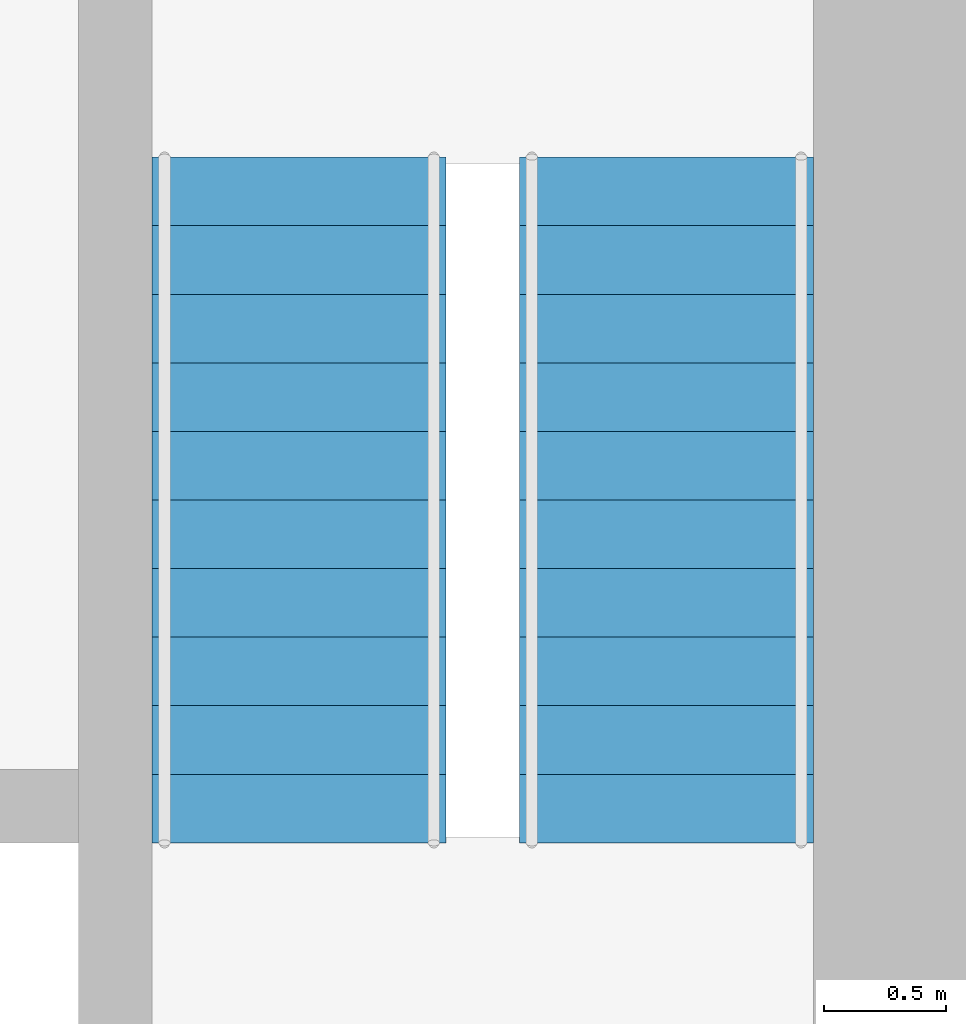
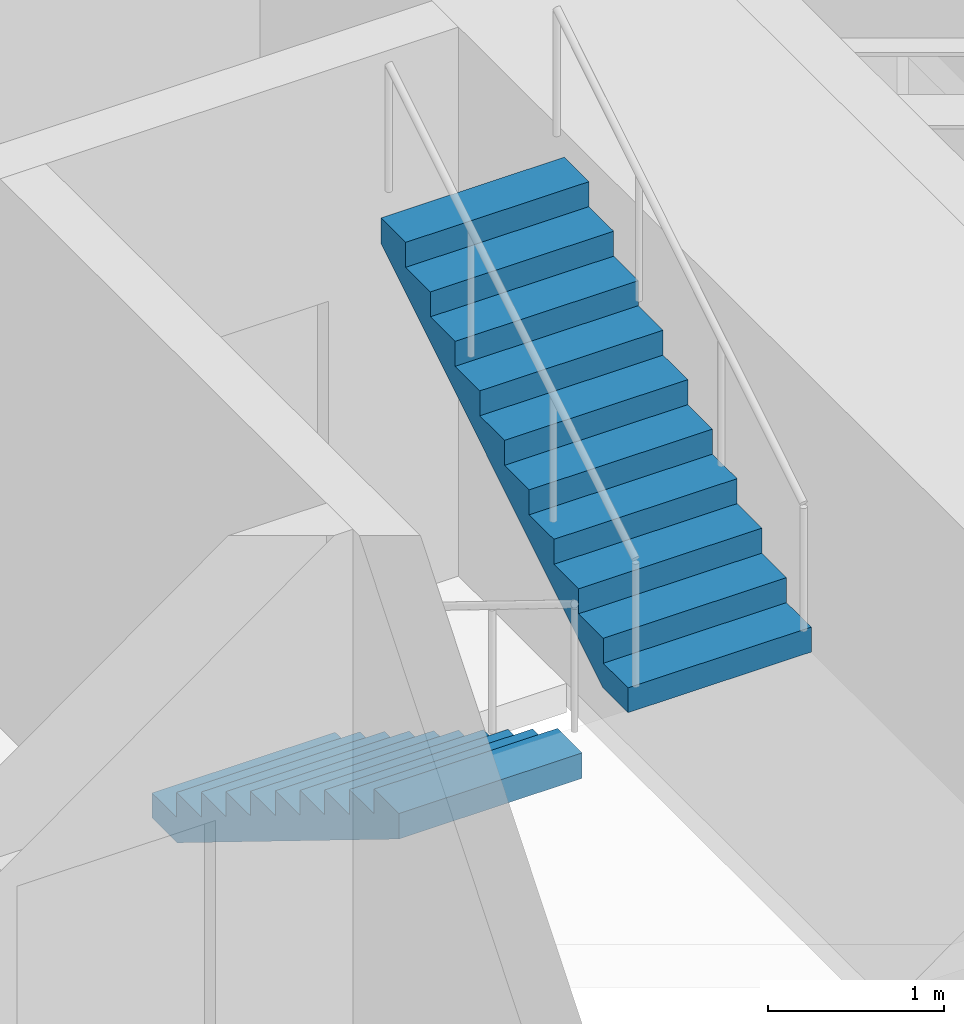
# One storey, part 16 of 17: 2 stair flights, 1 element without a shape of its own.
"""IFC4 building model written with IfcOpenShell, lengths in metres."""

from ifc_helpers import new_model, si_unit, direction, frame, origin, place, context, subcontext, project, spatial, polyline, outline, extrude, material, type_object, element, aggregate, save


model = new_model("IFC4")

# Units and contexts
model_context = context("Model", 3, precision=1e-05, world=origin(), true_north=direction((0.0, 1.0)))
body_context = subcontext(model_context, "Body", "Model", "MODEL_VIEW")
ifc_project = project(units=[si_unit("LENGTHUNIT", "METRE"), si_unit("AREAUNIT", "SQUARE_METRE"), si_unit("VOLUMEUNIT", "CUBIC_METRE"), si_unit("PLANEANGLEUNIT", "RADIAN"), si_unit("MASSUNIT", "GRAM", prefix="KILO")], contexts=[model_context])

# Site, building, storey
site_placement = place(None, origin())
site = spatial("IfcSite", under=ifc_project, at=site_placement, CompositionType="ELEMENT")
building_placement = place(site_placement, origin())
building = spatial("IfcBuilding", under=site, at=building_placement, Name="Sandreach Pilgrim Tower", CompositionType="ELEMENT")
storey_placement = place(building_placement, frame((0.0, 0.0, 87.60009765625)))
storey = spatial("IfcBuildingStorey", under=building, at=storey_placement, Name="L21", CompositionType="ELEMENT", Elevation=87.60009765625)

# Stair, stair flights
ifc_material_1 = material(Name="Concrete 8000 psi", Category="concrete")
stair_type = type_object("IfcStairType", Name="Core exit stair", PredefinedType="HALF_TURN_STAIR", material=ifc_material_1)
stair_placement = place(storey_placement, origin())
stair = element("IfcStair", 1, at=stair_placement, inside=storey, type_object=stair_type, Name="Exit stair ST2 L21", PredefinedType="HALF_TURN_STAIR")
ifc_material_2 = material(Name="Concrete 8000 psi", Category="concrete")
stair_flight_type = type_object("IfcStairFlightType", Name="Core stair flight 1200", PredefinedType="STRAIGHT", material=ifc_material_2)
stair_flight_1_placement = place(storey_placement, frame((5.64990234375, -0.39990234375, 0.0), z_axis=(0.0, 0.0, 1.0), x_axis=(0.0, -1.0, 0.0)))
stair_flight_1 = element("IfcStairFlight", 2, at=stair_flight_1_placement, type_object=stair_flight_type, Name="ST2 flight 1", NumberOfRisers=11, NumberOfTreads=10, PredefinedType="STRAIGHT", RiserHeight=0.172727273, TreadLength=0.28, context=body_context, shape_type="SweptSolid", body=[
    extrude(outline(polyline([(0.0, 0.0), (0.0, 0.172607421875), (0.280029296875, 0.172607421875), (0.280029296875, 0.345458984375), (0.56005859375, 0.345458984375), (0.56005859375, 0.51806640625), (0.840087890625, 0.51806640625), (0.840087890625, 0.69091796875), (1.1201171875, 0.69091796875), (1.1201171875, 0.863525390625), (1.39990234375, 0.863525390625), (1.39990234375, 1.036376953125), (1.679931640625, 1.036376953125), (1.679931640625, 1.208984375), (1.9599609375, 1.208984375), (1.9599609375, 1.3818359375), (2.239990234375, 1.3818359375), (2.239990234375, 1.554443359375), (2.52001953125, 1.554443359375), (2.52001953125, 1.727294921875), (2.800048828125, 1.727294921875), (2.800048828125, 1.89990234375), (2.800048828125, 1.551025390625), (0.285400390625, 0.0), (0.0, 0.0)])), frame((0.0, 0.60009765625, 0.0), z_axis=(0.0, -1.0, 0.0), x_axis=(1.0, 0.0, 0.0)), (0.0, 0.0, 1.0), 1.199951171875),
])
stair_flight_2_placement = place(storey_placement, frame((7.14990234375, -3.199951171875, 1.89990234375), z_axis=(0.0, 0.0, 1.0), x_axis=(0.0, 1.0, 0.0)))
stair_flight_2 = element("IfcStairFlight", 3, at=stair_flight_2_placement, type_object=stair_flight_type, Name="ST2 flight 2", NumberOfRisers=11, NumberOfTreads=10, PredefinedType="STRAIGHT", RiserHeight=0.172727273, TreadLength=0.28, context=body_context, shape_type="SweptSolid", body=[
    extrude(outline(polyline([(0.0, 0.0), (0.0, 0.172607421875), (0.280029296875, 0.172607421875), (0.280029296875, 0.345458984375), (0.56005859375, 0.345458984375), (0.56005859375, 0.51806640625), (0.840087890625, 0.51806640625), (0.840087890625, 0.69091796875), (1.1201171875, 0.69091796875), (1.1201171875, 0.863525390625), (1.39990234375, 0.863525390625), (1.39990234375, 1.036376953125), (1.679931640625, 1.036376953125), (1.679931640625, 1.208984375), (1.9599609375, 1.208984375), (1.9599609375, 1.3818359375), (2.239990234375, 1.3818359375), (2.239990234375, 1.554443359375), (2.52001953125, 1.554443359375), (2.52001953125, 1.727294921875), (2.800048828125, 1.727294921875), (2.800048828125, 1.89990234375), (2.800048828125, 1.551025390625), (0.285400390625, 0.0), (0.0, 0.0)])), frame((0.0, 0.60009765625, 0.0), z_axis=(0.0, -1.0, 0.0), x_axis=(1.0, 0.0, 0.0)), (0.0, 0.0, 1.0), 1.199951171875),
])
aggregate(stair, [stair_flight_1, stair_flight_2])

save(model, "model.ifc")
